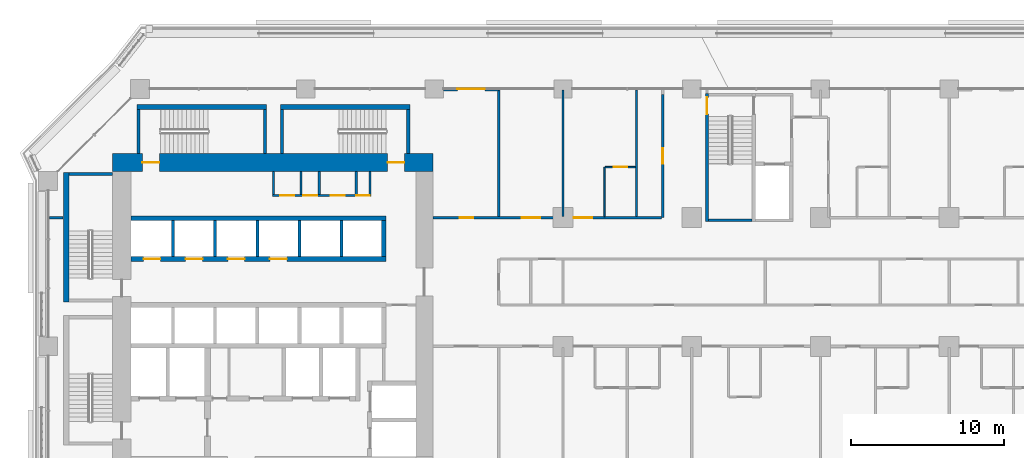
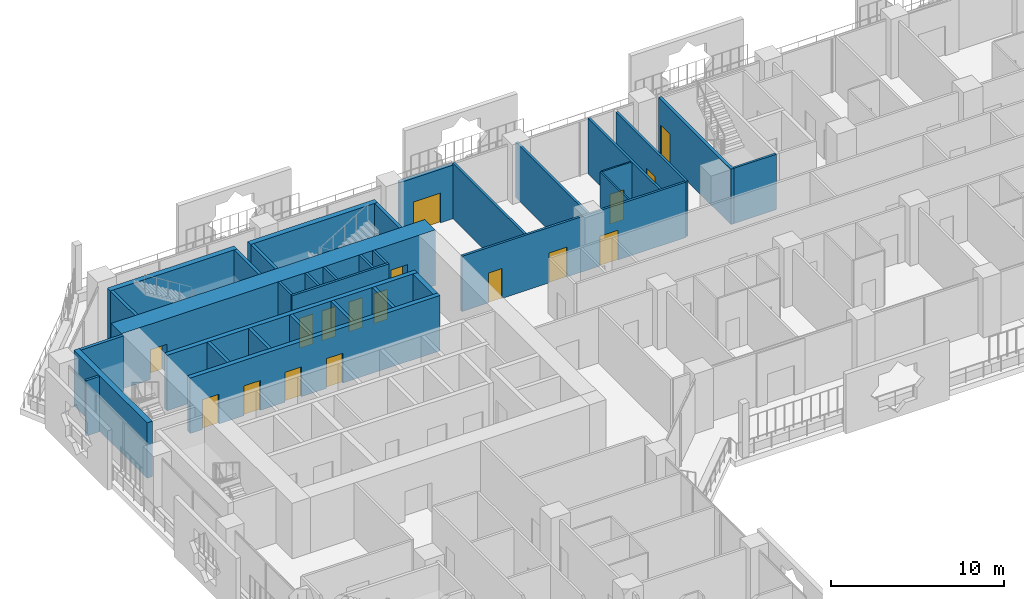
# One storey, part 18 of 29: 34 walls, 17 doors, 17 openings.
"""IFC4 building model written with IfcOpenShell, lengths in metres."""

from ifc_helpers import new_model, si_unit, direction, frame, frame_2d, origin, place, context, subcontext, project, spatial, rectangle, extrude, material, layer, layer_set, type_object, element, fill, save


model = new_model("IFC4")

# Units and contexts
model_context = context("Model", 3, precision=1e-05, world=origin(), true_north=direction((0.0, 1.0)))
body_context = subcontext(model_context, "Body", "Model", "MODEL_VIEW")
ifc_project = project(units=[si_unit("LENGTHUNIT", "METRE"), si_unit("AREAUNIT", "SQUARE_METRE"), si_unit("VOLUMEUNIT", "CUBIC_METRE"), si_unit("PLANEANGLEUNIT", "RADIAN"), si_unit("MASSUNIT", "GRAM", prefix="KILO")], contexts=[model_context])

# Site, building, storey
site_placement = place(None, origin())
site = spatial("IfcSite", under=ifc_project, at=site_placement, CompositionType="ELEMENT")
building_placement = place(site_placement, origin())
building = spatial("IfcBuilding", under=site, at=building_placement, Name="Kawkab Arch Medical Tower", CompositionType="ELEMENT")
storey_placement = place(building_placement, frame((0.0, 0.0, 64.39990234375)))
storey = spatial("IfcBuildingStorey", under=building, at=storey_placement, Name="L14", CompositionType="ELEMENT", Elevation=64.39990234375)

# Wall, openings, doors
ifc_material_1 = material(Name="Concrete C60/75", Category="concrete")
ifc_layer_1 = layer(ifc_material_1, 1.199951171875)
ifc_layer_set_1 = layer_set([ifc_layer_1], Name="Concrete C60/75")
wall_type_1 = type_object("IfcWallType", Name="Core ring wall 1200 C60/75", PredefinedType="SHEAR", material=ifc_layer_set_1)
wall_1_placement = place(storey_placement, frame((4.199951171875, -4.800048828125, 0.0), z_axis=(0.0, 0.0, 1.0), x_axis=(1.0, 0.0, 0.0)))
wall_1 = element("IfcWall", 1, at=wall_1_placement, inside=storey, type_object=wall_type_1, Name="L14 core wall", PredefinedType="SHEAR", context=body_context, shape_type="SweptSolid", body=[
    extrude(rectangle(XDim=20.900146484375, YDim=1.199951171875, at=frame_2d((10.4501953125, 0.0))), origin(), (0.0, 0.0, 1.0), 3.900146484375),
])
opening_1_placement = place(wall_1_placement, frame((1.949951171875, 0.0, 0.0)))
opening_1 = element("IfcOpeningElement", 2, at=opening_1_placement, cuts=wall_1, Name="Opening SD", PredefinedType="OPENING", context=body_context, shape_type="SweptSolid", body=[
    extrude(rectangle(XDim=1.10009765625, YDim=2.10009765625, at=frame_2d((0.550048828125, 1.050048828125))), frame((0.0, 0.60986328125, 0.0), z_axis=(0.0, -1.0, 0.0), x_axis=(1.0, 0.0, 0.0)), (0.0, 0.0, 1.0), 1.219970703125),
])
opening_2_placement = place(wall_1_placement, frame((17.949951171875, 0.0, 0.0)))
opening_2 = element("IfcOpeningElement", 3, at=opening_2_placement, cuts=wall_1, Name="Opening SD", PredefinedType="OPENING", context=body_context, shape_type="SweptSolid", body=[
    extrude(rectangle(XDim=1.10009765625, YDim=2.10009765625, at=frame_2d((0.550048828125, 1.050048828125))), frame((0.0, 0.60986328125, 0.0), z_axis=(0.0, -1.0, 0.0), x_axis=(1.0, 0.0, 0.0)), (0.0, 0.0, 1.0), 1.219970703125),
])
ifc_material_2 = material(Name="Hollow metal fire door leaf")
door_type_1 = type_object("IfcDoorType", Name="Exit stair door 1100", OperationType="SINGLE_SWING_LEFT", PredefinedType="DOOR", material=ifc_material_2)
door_1_placement = place(opening_1_placement, origin())
door_1 = element("IfcDoor", 4, at=door_1_placement, inside=storey, type_object=door_type_1, Name="L14 Exit stair ST3 door", OperationType="SINGLE_SWING_LEFT", OverallHeight=2.10009765625, OverallWidth=1.10009765625, PredefinedType="DOOR", context=body_context, shape_type="SweptSolid", body=[
    extrude(rectangle(XDim=1.10009765625, YDim=2.10009765625, at=frame_2d((0.550048828125, 1.050048828125))), frame((0.0, 0.02490234375, 0.0), z_axis=(0.0, -1.0, 0.0), x_axis=(1.0, 0.0, 0.0)), (0.0, 0.0, 1.0), 0.050048828125),
])
fill(opening_1, door_1)
door_2_placement = place(opening_2_placement, origin())
door_2 = element("IfcDoor", 5, at=door_2_placement, inside=storey, type_object=door_type_1, Name="L14 Exit stair ST4 door", OperationType="SINGLE_SWING_LEFT", OverallHeight=2.10009765625, OverallWidth=1.10009765625, PredefinedType="DOOR", context=body_context, shape_type="SweptSolid", body=[
    extrude(rectangle(XDim=1.10009765625, YDim=2.10009765625, at=frame_2d((0.550048828125, 1.050048828125))), frame((0.0, 0.02490234375, 0.0), z_axis=(0.0, -1.0, 0.0), x_axis=(1.0, 0.0, 0.0)), (0.0, 0.0, 1.0), 0.050048828125),
])
fill(opening_2, door_2)

ifc_material_3 = material(Name="Gypsum board on steel studs", Category="steel")
ifc_layer_2 = layer(ifc_material_3, 0.14990234375)
ifc_layer_set_2 = layer_set([ifc_layer_2], Name="Gypsum board on steel studs")
wall_type_2 = type_object("IfcWallType", Name="Core room partition 150", PredefinedType="PARTITIONING", material=ifc_layer_set_2)
wall_2_placement = place(storey_placement, frame((14.625, -6.949951171875, 0.0), z_axis=(0.0, 0.0, 1.0), x_axis=(1.0, 0.0, 0.0)))
wall_2 = element("IfcWall", 6, at=wall_2_placement, inside=storey, type_object=wall_type_2, Name="L14 core room partition", PredefinedType="PARTITIONING", context=body_context, shape_type="SweptSolid", body=[
    extrude(rectangle(XDim=6.449951171875, YDim=0.14990234375, at=frame_2d((3.22509765625, 0.0))), origin(), (0.0, 0.0, 1.0), 3.900146484375),
])
opening_3_placement = place(wall_2_placement, frame((0.52490234375, 0.0, 0.0)))
opening_3 = element("IfcOpeningElement", 7, at=opening_3_placement, cuts=wall_2, Name="Opening RD", PredefinedType="OPENING", context=body_context, shape_type="SweptSolid", body=[
    extrude(rectangle(XDim=0.89990234375, YDim=2.10009765625, at=frame_2d((0.449951171875, 1.050048828125))), frame((0.0, 0.0849609375, 0.0), z_axis=(0.0, -1.0, 0.0), x_axis=(1.0, 0.0, 0.0)), (0.0, 0.0, 1.0), 0.169921875),
])
opening_4_placement = place(wall_2_placement, frame((2.02490234375, 0.0, 0.0)))
opening_4 = element("IfcOpeningElement", 8, at=opening_4_placement, cuts=wall_2, Name="Opening RD", PredefinedType="OPENING", context=body_context, shape_type="SweptSolid", body=[
    extrude(rectangle(XDim=0.89990234375, YDim=2.10009765625, at=frame_2d((0.449951171875, 1.050048828125))), frame((0.0, 0.0849609375, 0.0), z_axis=(0.0, -1.0, 0.0), x_axis=(1.0, 0.0, 0.0)), (0.0, 0.0, 1.0), 0.169921875),
])
opening_5_placement = place(wall_2_placement, frame((3.824951171875, 0.0, 0.0)))
opening_5 = element("IfcOpeningElement", 9, at=opening_5_placement, cuts=wall_2, Name="Opening RD", PredefinedType="OPENING", context=body_context, shape_type="SweptSolid", body=[
    extrude(rectangle(XDim=0.89990234375, YDim=2.10009765625, at=frame_2d((0.449951171875, 1.050048828125))), frame((0.0, 0.0849609375, 0.0), z_axis=(0.0, -1.0, 0.0), x_axis=(1.0, 0.0, 0.0)), (0.0, 0.0, 1.0), 0.169921875),
])
opening_6_placement = place(wall_2_placement, frame((5.47509765625, 0.0, 0.0)))
opening_6 = element("IfcOpeningElement", 10, at=opening_6_placement, cuts=wall_2, Name="Opening RD", PredefinedType="OPENING", context=body_context, shape_type="SweptSolid", body=[
    extrude(rectangle(XDim=0.89990234375, YDim=2.10009765625, at=frame_2d((0.449951171875, 1.050048828125))), frame((0.0, 0.0849609375, 0.0), z_axis=(0.0, -1.0, 0.0), x_axis=(1.0, 0.0, 0.0)), (0.0, 0.0, 1.0), 0.169921875),
])
ifc_material_4 = material(Name="Hollow metal fire door leaf")
door_type_2 = type_object("IfcDoorType", Name="Core room door 900", OperationType="SINGLE_SWING_LEFT", PredefinedType="DOOR", material=ifc_material_4)
door_3_placement = place(opening_3_placement, origin())
door_3 = element("IfcDoor", 11, at=door_3_placement, inside=storey, type_object=door_type_2, Name="L14 Comms room door", OperationType="SINGLE_SWING_LEFT", OverallHeight=2.10009765625, OverallWidth=0.89990234375, PredefinedType="DOOR", context=body_context, shape_type="SweptSolid", body=[
    extrude(rectangle(XDim=0.89990234375, YDim=2.10009765625, at=frame_2d((0.449951171875, 1.050048828125))), frame((0.0, 0.02490234375, 0.0), z_axis=(0.0, -1.0, 0.0), x_axis=(1.0, 0.0, 0.0)), (0.0, 0.0, 1.0), 0.050048828125),
])
fill(opening_3, door_3)
door_4_placement = place(opening_4_placement, origin())
door_4 = element("IfcDoor", 12, at=door_4_placement, inside=storey, type_object=door_type_2, Name="L14 Electrical riser room door", OperationType="SINGLE_SWING_LEFT", OverallHeight=2.10009765625, OverallWidth=0.89990234375, PredefinedType="DOOR", context=body_context, shape_type="SweptSolid", body=[
    extrude(rectangle(XDim=0.89990234375, YDim=2.10009765625, at=frame_2d((0.449951171875, 1.050048828125))), frame((0.0, 0.02490234375, 0.0), z_axis=(0.0, -1.0, 0.0), x_axis=(1.0, 0.0, 0.0)), (0.0, 0.0, 1.0), 0.050048828125),
])
fill(opening_4, door_4)
door_5_placement = place(opening_5_placement, origin())
door_5 = element("IfcDoor", 13, at=door_5_placement, inside=storey, type_object=door_type_2, Name="L14 General store door", OperationType="SINGLE_SWING_LEFT", OverallHeight=2.10009765625, OverallWidth=0.89990234375, PredefinedType="DOOR", context=body_context, shape_type="SweptSolid", body=[
    extrude(rectangle(XDim=0.89990234375, YDim=2.10009765625, at=frame_2d((0.449951171875, 1.050048828125))), frame((0.0, 0.02490234375, 0.0), z_axis=(0.0, -1.0, 0.0), x_axis=(1.0, 0.0, 0.0)), (0.0, 0.0, 1.0), 0.050048828125),
])
fill(opening_5, door_5)
door_6_placement = place(opening_6_placement, origin())
door_6 = element("IfcDoor", 14, at=door_6_placement, inside=storey, type_object=door_type_2, Name="L14 UPS room door", OperationType="SINGLE_SWING_LEFT", OverallHeight=2.10009765625, OverallWidth=0.89990234375, PredefinedType="DOOR", context=body_context, shape_type="SweptSolid", body=[
    extrude(rectangle(XDim=0.89990234375, YDim=2.10009765625, at=frame_2d((0.449951171875, 1.050048828125))), frame((0.0, 0.02490234375, 0.0), z_axis=(0.0, -1.0, 0.0), x_axis=(1.0, 0.0, 0.0)), (0.0, 0.0, 1.0), 0.050048828125),
])
fill(opening_6, door_6)

# Walls
for number, where, z_axis, x_axis, name in (
    (15, (14.699951171875, -6.875, 0.0), (0.0, 0.0, 1.0), (0.0, 1.0, 0.0), "L14 core room partition"),
    (16, (16.5, -6.875, 0.0), (0.0, 0.0, 1.0), (0.0, 1.0, 0.0), "L14 core room partition"),
    (17, (17.699951171875, -6.875, 0.0), (0.0, 0.0, 1.0), (0.0, 1.0, 0.0), "L14 core room partition"),
    (18, (20.10009765625, -6.875, 0.0), (0.0, 0.0, 1.0), (0.0, 1.0, 0.0), "L14 core room partition"),
    (19, (21.0, -6.875, 0.0), (0.0, 0.0, 1.0), (0.0, 1.0, 0.0), "L14 core room partition"),
):
    element("IfcWall", number, at=place(storey_placement, frame(where, z_axis=z_axis, x_axis=x_axis)), inside=storey, type_object=wall_type_2, Name=name, PredefinedType="PARTITIONING", context=body_context, shape_type="SweptSolid", body=[
        extrude(rectangle(XDim=1.47509765625, YDim=0.14990234375, at=frame_2d((0.737548828125, 0.0))), origin(), (0.0, 0.0, 1.0), 3.900146484375),
    ])
ifc_material_5 = material(Name="Concrete C60/75", Category="concrete")
ifc_layer_3 = layer(ifc_material_5, 0.300048828125)
ifc_layer_set_3 = layer_set([ifc_layer_3], Name="Concrete C60/75")
wall_type_3 = type_object("IfcWallType", Name="Core shear wall 300 C60/75", PredefinedType="SHEAR", material=ifc_layer_set_3)
wall_3_placement = place(storey_placement, frame((5.39990234375, -8.449951171875, 0.0), z_axis=(0.0, 0.0, 1.0), x_axis=(1.0, 0.0, 0.0)))
element("IfcWall", 20, at=wall_3_placement, inside=storey, type_object=wall_type_3, Name="L14 core shear wall", PredefinedType="SHEAR", context=body_context, shape_type="SweptSolid", body=[
    extrude(rectangle(XDim=16.650146484375, YDim=0.300048828125, at=frame_2d((8.3251953125, 0.0))), origin(), (0.0, 0.0, 1.0), 3.900146484375),
])

# Wall, openings, doors
wall_4_placement = place(storey_placement, frame((5.39990234375, -11.10009765625, 0.0), z_axis=(0.0, 0.0, 1.0), x_axis=(1.0, 0.0, 0.0)))
wall_4 = element("IfcWall", 21, at=wall_4_placement, inside=storey, type_object=wall_type_3, Name="L14 core shear wall", PredefinedType="SHEAR", context=body_context, shape_type="SweptSolid", body=[
    extrude(rectangle(XDim=16.650146484375, YDim=0.300048828125, at=frame_2d((8.3251953125, 0.0))), origin(), (0.0, 0.0, 1.0), 3.900146484375),
])
opening_7_placement = place(wall_4_placement, frame((0.824951171875, 0.0, 0.0)))
opening_7 = element("IfcOpeningElement", 22, at=opening_7_placement, cuts=wall_4, Name="Opening LD1", PredefinedType="OPENING", context=body_context, shape_type="SweptSolid", body=[
    extrude(rectangle(XDim=1.10009765625, YDim=2.10009765625, at=frame_2d((0.550048828125, 1.050048828125))), frame((0.0, 0.159912109375, 0.0), z_axis=(0.0, -1.0, 0.0), x_axis=(1.0, 0.0, 0.0)), (0.0, 0.0, 1.0), 0.320068359375),
])
opening_8_placement = place(wall_4_placement, frame((3.574951171875, 0.0, 0.0)))
opening_8 = element("IfcOpeningElement", 23, at=opening_8_placement, cuts=wall_4, Name="Opening LD1", PredefinedType="OPENING", context=body_context, shape_type="SweptSolid", body=[
    extrude(rectangle(XDim=1.10009765625, YDim=2.10009765625, at=frame_2d((0.550048828125, 1.050048828125))), frame((0.0, 0.159912109375, 0.0), z_axis=(0.0, -1.0, 0.0), x_axis=(1.0, 0.0, 0.0)), (0.0, 0.0, 1.0), 0.320068359375),
])
opening_9_placement = place(wall_4_placement, frame((6.324951171875, 0.0, 0.0)))
opening_9 = element("IfcOpeningElement", 24, at=opening_9_placement, cuts=wall_4, Name="Opening LD1", PredefinedType="OPENING", context=body_context, shape_type="SweptSolid", body=[
    extrude(rectangle(XDim=1.10009765625, YDim=2.10009765625, at=frame_2d((0.550048828125, 1.050048828125))), frame((0.0, 0.159912109375, 0.0), z_axis=(0.0, -1.0, 0.0), x_axis=(1.0, 0.0, 0.0)), (0.0, 0.0, 1.0), 0.320068359375),
])
opening_10_placement = place(wall_4_placement, frame((9.074951171875, 0.0, 0.0)))
opening_10 = element("IfcOpeningElement", 25, at=opening_10_placement, cuts=wall_4, Name="Opening LD1", PredefinedType="OPENING", context=body_context, shape_type="SweptSolid", body=[
    extrude(rectangle(XDim=1.10009765625, YDim=2.10009765625, at=frame_2d((0.550048828125, 1.050048828125))), frame((0.0, 0.159912109375, 0.0), z_axis=(0.0, -1.0, 0.0), x_axis=(1.0, 0.0, 0.0)), (0.0, 0.0, 1.0), 0.320068359375),
])
ifc_material_6 = material(Name="Stainless steel lift door leaf", Category="steel")
door_type_3 = type_object("IfcDoorType", Name="Lift landing door 1100", OperationType="DOUBLE_DOOR_SLIDING", PredefinedType="DOOR", material=ifc_material_6)
door_7_placement = place(opening_7_placement, origin())
door_7 = element("IfcDoor", 26, at=door_7_placement, inside=storey, type_object=door_type_3, Name="L14 Lift landing door LP1", OperationType="DOUBLE_DOOR_SLIDING", OverallHeight=2.10009765625, OverallWidth=1.10009765625, PredefinedType="DOOR", context=body_context, shape_type="SweptSolid", body=[
    extrude(rectangle(XDim=1.10009765625, YDim=2.10009765625, at=frame_2d((0.550048828125, 1.050048828125))), frame((0.0, 0.02490234375, 0.0), z_axis=(0.0, -1.0, 0.0), x_axis=(1.0, 0.0, 0.0)), (0.0, 0.0, 1.0), 0.050048828125),
])
fill(opening_7, door_7)
door_8_placement = place(opening_8_placement, origin())
door_8 = element("IfcDoor", 27, at=door_8_placement, inside=storey, type_object=door_type_3, Name="L14 Lift landing door LP2", OperationType="DOUBLE_DOOR_SLIDING", OverallHeight=2.10009765625, OverallWidth=1.10009765625, PredefinedType="DOOR", context=body_context, shape_type="SweptSolid", body=[
    extrude(rectangle(XDim=1.10009765625, YDim=2.10009765625, at=frame_2d((0.550048828125, 1.050048828125))), frame((0.0, 0.02490234375, 0.0), z_axis=(0.0, -1.0, 0.0), x_axis=(1.0, 0.0, 0.0)), (0.0, 0.0, 1.0), 0.050048828125),
])
fill(opening_8, door_8)
door_9_placement = place(opening_9_placement, origin())
door_9 = element("IfcDoor", 28, at=door_9_placement, inside=storey, type_object=door_type_3, Name="L14 Lift landing door LP3", OperationType="DOUBLE_DOOR_SLIDING", OverallHeight=2.10009765625, OverallWidth=1.10009765625, PredefinedType="DOOR", context=body_context, shape_type="SweptSolid", body=[
    extrude(rectangle(XDim=1.10009765625, YDim=2.10009765625, at=frame_2d((0.550048828125, 1.050048828125))), frame((0.0, 0.02490234375, 0.0), z_axis=(0.0, -1.0, 0.0), x_axis=(1.0, 0.0, 0.0)), (0.0, 0.0, 1.0), 0.050048828125),
])
fill(opening_9, door_9)
door_10_placement = place(opening_10_placement, origin())
door_10 = element("IfcDoor", 29, at=door_10_placement, inside=storey, type_object=door_type_3, Name="L14 Lift landing door LP4", OperationType="DOUBLE_DOOR_SLIDING", OverallHeight=2.10009765625, OverallWidth=1.10009765625, PredefinedType="DOOR", context=body_context, shape_type="SweptSolid", body=[
    extrude(rectangle(XDim=1.10009765625, YDim=2.10009765625, at=frame_2d((0.550048828125, 1.050048828125))), frame((0.0, 0.02490234375, 0.0), z_axis=(0.0, -1.0, 0.0), x_axis=(1.0, 0.0, 0.0)), (0.0, 0.0, 1.0), 0.050048828125),
])
fill(opening_10, door_10)

# Wall
wall_5_placement = place(storey_placement, frame((21.89990234375, -10.949951171875, 0.0), z_axis=(0.0, 0.0, 1.0), x_axis=(0.0, 1.0, 0.0)))
element("IfcWall", 30, at=wall_5_placement, inside=storey, type_object=wall_type_3, Name="L14 core shear wall", PredefinedType="SHEAR", context=body_context, shape_type="SweptSolid", body=[
    extrude(rectangle(XDim=2.349853515625, YDim=0.300048828125, at=frame_2d((1.1748046875, 0.0))), origin(), (0.0, 0.0, 1.0), 3.900146484375),
])

# Wall, opening, door
ifc_material_7 = material(Name="Bronze clad insulated wall panel")
ifc_layer_4 = layer(ifc_material_7, 0.25)
ifc_layer_set_4 = layer_set([ifc_layer_4], Name="Bronze clad insulated wall panel")
wall_type_4 = type_object("IfcWallType", Name="External wall bay 250", PredefinedType="SOLIDWALL", material=ifc_layer_set_4)
wall_6_placement = place(storey_placement, frame((29.39990234375, 0.0, 0.0), z_axis=(0.0, 0.0, 1.0), x_axis=(-1.0, 0.0, 0.0)))
wall_6 = element("IfcWall", 31, at=wall_6_placement, inside=storey, type_object=wall_type_4, Name="External wall bay L14.R11.6.2", PredefinedType="SOLIDWALL", context=body_context, shape_type="SweptSolid", body=[
    extrude(rectangle(XDim=3.599853515625, YDim=0.25, at=frame_2d((1.7998046875, 0.0))), origin(), (0.0, 0.0, 1.0), 3.780029296875),
])
opening_11_placement = place(wall_6_placement, frame((0.89990234375, 0.0, 0.0)))
opening_11 = element("IfcOpeningElement", 32, at=opening_11_placement, cuts=wall_6, Name="Opening W14-702", PredefinedType="OPENING", context=body_context, shape_type="SweptSolid", body=[
    extrude(rectangle(XDim=1.800048828125, YDim=2.10009765625, at=frame_2d((0.89990234375, 1.050048828125))), frame((0.0, 0.135009765625, 0.0), z_axis=(0.0, -1.0, 0.0), x_axis=(1.0, 0.0, 0.0)), (0.0, 0.0, 1.0), 0.27001953125),
])
ifc_material_8 = material(Name="Bronze anodised aluminium door with tinted glass", Category="aluminium")
door_type_4 = type_object("IfcDoorType", Name="Double external door 1800 x 2100", OperationType="DOUBLE_DOOR_SINGLE_SWING", PredefinedType="DOOR", material=ifc_material_8)
door_11_placement = place(opening_11_placement, origin())
door_11 = element("IfcDoor", 33, at=door_11_placement, inside=storey, type_object=door_type_4, Name="External door L14.R11.6.2", OperationType="DOUBLE_DOOR_SINGLE_SWING", OverallHeight=2.10009765625, OverallWidth=1.800048828125, PredefinedType="DOOR", context=body_context, shape_type="SweptSolid", body=[
    extrude(rectangle(XDim=1.800048828125, YDim=2.10009765625, at=frame_2d((0.89990234375, 1.050048828125))), frame((0.0, 0.02490234375, 0.0), z_axis=(0.0, -1.0, 0.0), x_axis=(1.0, 0.0, 0.0)), (0.0, 0.0, 1.0), 0.050048828125),
])
fill(opening_11, door_11)

# Walls
ifc_material_9 = material(Name="Dense concrete blockwork", Category="masonry")
ifc_layer_5 = layer(ifc_material_9, 0.199951171875)
ifc_layer_set_5 = layer_set([ifc_layer_5], Name="Dense concrete blockwork")
wall_type_5 = type_object("IfcWallType", Name="Lift shaft partition 200", PredefinedType="PARTITIONING", material=ifc_layer_set_5)
for number, where, z_axis, x_axis, name in (
    (34, (8.14990234375, -10.949951171875, 0.0), (0.0, 0.0, 1.0), (0.0, 1.0, 0.0), "L14 lift shaft partition"),
    (35, (10.89990234375, -10.949951171875, 0.0), (0.0, 0.0, 1.0), (0.0, 1.0, 0.0), "L14 lift shaft partition"),
    (36, (13.64990234375, -10.949951171875, 0.0), (0.0, 0.0, 1.0), (0.0, 1.0, 0.0), "L14 lift shaft partition"),
    (37, (16.39990234375, -10.949951171875, 0.0), (0.0, 0.0, 1.0), (0.0, 1.0, 0.0), "L14 lift shaft partition"),
    (38, (19.14990234375, -10.949951171875, 0.0), (0.0, 0.0, 1.0), (0.0, 1.0, 0.0), "L14 lift shaft partition"),
):
    element("IfcWall", number, at=place(storey_placement, frame(where, z_axis=z_axis, x_axis=x_axis)), inside=storey, type_object=wall_type_5, Name=name, PredefinedType="PARTITIONING", context=body_context, shape_type="SweptSolid", body=[
        extrude(rectangle(XDim=2.349853515625, YDim=0.199951171875, at=frame_2d((1.1748046875, 0.0))), origin(), (0.0, 0.0, 1.0), 3.900146484375),
    ])

# Wall, opening, door
ifc_material_10 = material(Name="Gypsum board partition on steel studs", Category="steel")
ifc_layer_6 = layer(ifc_material_10, 0.10009765625)
ifc_layer_set_6 = layer_set([ifc_layer_6], Name="Gypsum board partition on steel studs")
wall_type_6 = type_object("IfcWallType", Name="Partition 100", PredefinedType="PARTITIONING", material=ifc_layer_set_6)
wall_7_placement = place(storey_placement, frame((36.35009765625, -5.10009765625, 0.0), z_axis=(0.0, 0.0, 1.0), x_axis=(1.0, 0.0, 0.0)))
wall_7 = element("IfcWall", 39, at=wall_7_placement, inside=storey, type_object=wall_type_6, Name="Partition 100 w016", PredefinedType="PARTITIONING", context=body_context, shape_type="SweptSolid", body=[
    extrude(rectangle(XDim=1.974853515625, YDim=0.10009765625, at=frame_2d((0.9873046875, 0.0))), origin(), (0.0, 0.0, 1.0), 3.900146484375),
])
opening_12_placement = place(wall_7_placement, frame((0.550048828125, 0.0, 0.0)))
opening_12 = element("IfcOpeningElement", 40, at=opening_12_placement, cuts=wall_7, Name="Opening W14-006", PredefinedType="OPENING", context=body_context, shape_type="SweptSolid", body=[
    extrude(rectangle(XDim=0.89990234375, YDim=2.10009765625, at=frame_2d((0.449951171875, 1.050048828125))), frame((0.0, 0.06005859375, 0.0), z_axis=(0.0, -1.0, 0.0), x_axis=(1.0, 0.0, 0.0)), (0.0, 0.0, 1.0), 0.1201171875),
])
ifc_material_11 = material(Name="Timber door leaf", Category="wood")
door_type_5 = type_object("IfcDoorType", Name="Single door 900x2100", OperationType="NOTDEFINED", PredefinedType="DOOR", material=ifc_material_11)
door_12_placement = place(opening_12_placement, origin())
door_12 = element("IfcDoor", 41, at=door_12_placement, inside=storey, type_object=door_type_5, Name="Door W14-006", OperationType="SINGLE_SWING_RIGHT", OverallHeight=2.10009765625, OverallWidth=0.89990234375, PredefinedType="DOOR", context=body_context, shape_type="SweptSolid", body=[
    extrude(rectangle(XDim=0.89990234375, YDim=2.10009765625, at=frame_2d((0.449951171875, 1.050048828125))), frame((0.0, 0.02490234375, 0.0), z_axis=(0.0, -1.0, 0.0), x_axis=(1.0, 0.0, 0.0)), (0.0, 0.0, 1.0), 0.050048828125),
])
fill(opening_12, door_12)

# Walls
wall_8_placement = place(storey_placement, frame((36.300048828125, -8.324951171875, 0.0), z_axis=(0.0, 0.0, 1.0), x_axis=(0.0, 1.0, 0.0)))
element("IfcWall", 42, at=wall_8_placement, inside=storey, type_object=wall_type_6, Name="Partition 100 w028", PredefinedType="PARTITIONING", context=body_context, shape_type="SweptSolid", body=[
    extrude(rectangle(XDim=3.224853515625, YDim=0.10009765625, at=frame_2d((1.6123046875, 0.0))), origin(), (0.0, 0.0, 1.0), 3.900146484375),
])
ifc_material_12 = material(Name="Gypsum board partition on steel studs, mineral wool", Category="steel")
ifc_layer_7 = layer(ifc_material_12, 0.14990234375)
ifc_layer_set_7 = layer_set([ifc_layer_7], Name="Gypsum board partition on steel studs, mineral wool")
wall_type_7 = type_object("IfcWallType", Name="Partition 150", PredefinedType="PARTITIONING", material=ifc_layer_set_7)
wall_9_placement = place(storey_placement, frame((0.080078125, -8.39990234375, 0.0), z_axis=(0.0, 0.0, 1.0), x_axis=(1.0, 0.0, 0.0)))
element("IfcWall", 43, at=wall_9_placement, inside=storey, type_object=wall_type_7, Name="Partition 150 w066", PredefinedType="PARTITIONING", context=body_context, shape_type="SweptSolid", body=[
    extrude(rectangle(XDim=0.889892578125, YDim=0.14990234375, at=frame_2d((0.44482421875, 0.0))), origin(), (0.0, 0.0, 1.0), 3.900146484375),
])

# Wall, openings, doors
wall_10_placement = place(storey_placement, frame((25.10009765625, -8.39990234375, 0.0), z_axis=(0.0, 0.0, 1.0), x_axis=(1.0, 0.0, 0.0)))
wall_10 = element("IfcWall", 44, at=wall_10_placement, inside=storey, type_object=wall_type_7, Name="Partition 150 w067", PredefinedType="PARTITIONING", context=body_context, shape_type="SweptSolid", body=[
    extrude(rectangle(XDim=14.931884765625, YDim=0.14990234375, at=frame_2d((7.4658203125, 0.0))), origin(), (0.0, 0.0, 1.0), 3.900146484375),
])
opening_13_placement = place(wall_10_placement, frame((1.75, 0.0, 0.0)))
opening_13 = element("IfcOpeningElement", 45, at=opening_13_placement, cuts=wall_10, Name="Opening W14-005", PredefinedType="OPENING", context=body_context, shape_type="SweptSolid", body=[
    extrude(rectangle(XDim=0.89990234375, YDim=2.10009765625, at=frame_2d((0.449951171875, 1.050048828125))), frame((0.0, 0.0849609375, 0.0), z_axis=(0.0, -1.0, 0.0), x_axis=(1.0, 0.0, 0.0)), (0.0, 0.0, 1.0), 0.169921875),
])
opening_14_placement = place(wall_10_placement, frame((5.800048828125, 0.0, 0.0)))
opening_14 = element("IfcOpeningElement", 46, at=opening_14_placement, cuts=wall_10, Name="Opening W14-049", PredefinedType="OPENING", context=body_context, shape_type="SweptSolid", body=[
    extrude(rectangle(XDim=1.199951171875, YDim=2.10009765625, at=frame_2d((0.60009765625, 1.050048828125))), frame((0.0, 0.0849609375, 0.0), z_axis=(0.0, -1.0, 0.0), x_axis=(1.0, 0.0, 0.0)), (0.0, 0.0, 1.0), 0.169921875),
])
opening_15_placement = place(wall_10_placement, frame((9.199951171875, 0.0, 0.0)))
opening_15 = element("IfcOpeningElement", 47, at=opening_15_placement, cuts=wall_10, Name="Opening W14-050", PredefinedType="OPENING", context=body_context, shape_type="SweptSolid", body=[
    extrude(rectangle(XDim=1.199951171875, YDim=2.10009765625, at=frame_2d((0.60009765625, 1.050048828125))), frame((0.0, 0.0849609375, 0.0), z_axis=(0.0, -1.0, 0.0), x_axis=(1.0, 0.0, 0.0)), (0.0, 0.0, 1.0), 0.169921875),
])
ifc_material_13 = material(Name="Hollow metal door leaf")
door_type_6 = type_object("IfcDoorType", Name="Single door 1200x2100 FD30S", OperationType="NOTDEFINED", PredefinedType="DOOR", material=ifc_material_13)
door_13_placement = place(opening_14_placement, origin())
door_13 = element("IfcDoor", 48, at=door_13_placement, inside=storey, type_object=door_type_6, Name="Door W14-049", OperationType="SINGLE_SWING_LEFT", OverallHeight=2.10009765625, OverallWidth=1.199951171875, PredefinedType="DOOR", context=body_context, shape_type="SweptSolid", body=[
    extrude(rectangle(XDim=1.199951171875, YDim=2.10009765625, at=frame_2d((0.60009765625, 1.050048828125))), frame((0.0, 0.02490234375, 0.0), z_axis=(0.0, -1.0, 0.0), x_axis=(1.0, 0.0, 0.0)), (0.0, 0.0, 1.0), 0.050048828125),
])
fill(opening_14, door_13)
door_14_placement = place(opening_15_placement, origin())
door_14 = element("IfcDoor", 49, at=door_14_placement, inside=storey, type_object=door_type_6, Name="Door W14-050", OperationType="SINGLE_SWING_RIGHT", OverallHeight=2.10009765625, OverallWidth=1.199951171875, PredefinedType="DOOR", context=body_context, shape_type="SweptSolid", body=[
    extrude(rectangle(XDim=1.199951171875, YDim=2.10009765625, at=frame_2d((0.60009765625, 1.050048828125))), frame((0.0, 0.02490234375, 0.0), z_axis=(0.0, -1.0, 0.0), x_axis=(1.0, 0.0, 0.0)), (0.0, 0.0, 1.0), 0.050048828125),
])
fill(opening_15, door_14)
door_15_placement = place(opening_13_placement, origin())
door_15 = element("IfcDoor", 50, at=door_15_placement, inside=storey, type_object=door_type_5, Name="Door W14-005", OperationType="SINGLE_SWING_LEFT", OverallHeight=2.10009765625, OverallWidth=0.89990234375, PredefinedType="DOOR", context=body_context, shape_type="SweptSolid", body=[
    extrude(rectangle(XDim=0.89990234375, YDim=2.10009765625, at=frame_2d((0.449951171875, 1.050048828125))), frame((0.0, 0.02490234375, 0.0), z_axis=(0.0, -1.0, 0.0), x_axis=(1.0, 0.0, 0.0)), (0.0, 0.0, 1.0), 0.050048828125),
])
fill(opening_13, door_15)

# Walls
for number, where, z_axis, x_axis, name in (
    (51, (29.39990234375, -8.324951171875, 0.0), (0.0, 0.0, 1.0), (0.0, 1.0, 0.0), "Partition 150 w081"),
    (52, (33.60009765625, -8.324951171875, 0.0), (0.0, 0.0, 1.0), (0.0, 1.0, 0.0), "Partition 150 w085"),
    (53, (38.39990234375, -8.324951171875, 0.0), (0.0, 0.0, 1.0), (0.0, 1.0, 0.0), "Partition 150 w087"),
):
    element("IfcWall", number, at=place(storey_placement, frame(where, z_axis=z_axis, x_axis=x_axis)), inside=storey, type_object=wall_type_7, Name=name, PredefinedType="PARTITIONING", context=body_context, shape_type="SweptSolid", body=[
        extrude(rectangle(XDim=8.244873046875, YDim=0.14990234375, at=frame_2d((4.12255859375, 0.0))), origin(), (0.0, 0.0, 1.0), 3.900146484375),
    ])

# Wall, opening, door
wall_11_placement = place(storey_placement, frame((40.10693359375, -8.39990234375, 0.0), z_axis=(0.0, 0.0, 1.0), x_axis=(0.0, 1.0, 0.0)))
wall_11 = element("IfcWall", 54, at=wall_11_placement, inside=storey, type_object=wall_type_7, Name="Partition 150 w088", PredefinedType="PARTITIONING", context=body_context, shape_type="SweptSolid", body=[
    extrude(rectangle(XDim=8.0478515625, YDim=0.14990234375, at=frame_2d((4.02392578125, 0.0))), origin(), (0.0, 0.0, 1.0), 3.900146484375),
])
opening_16_placement = place(wall_11_placement, frame((3.52392578125, 0.0, 0.0)))
opening_16 = element("IfcOpeningElement", 55, at=opening_16_placement, cuts=wall_11, Name="Opening W14-031", PredefinedType="OPENING", context=body_context, shape_type="SweptSolid", body=[
    extrude(rectangle(XDim=1.0, YDim=2.10009765625, at=frame_2d((0.5, 1.050048828125))), frame((0.0, 0.0849609375, 0.0), z_axis=(0.0, -1.0, 0.0), x_axis=(1.0, 0.0, 0.0)), (0.0, 0.0, 1.0), 0.169921875),
])
ifc_material_14 = material(Name="Hollow metal door leaf")
door_type_7 = type_object("IfcDoorType", Name="Single door 1000x2100 FD30S", OperationType="NOTDEFINED", PredefinedType="DOOR", material=ifc_material_14)
door_16_placement = place(opening_16_placement, origin())
door_16 = element("IfcDoor", 56, at=door_16_placement, inside=storey, type_object=door_type_7, Name="Door W14-031", OperationType="SINGLE_SWING_LEFT", OverallHeight=2.10009765625, OverallWidth=1.0, PredefinedType="DOOR", context=body_context, shape_type="SweptSolid", body=[
    extrude(rectangle(XDim=1.0, YDim=2.10009765625, at=frame_2d((0.5, 1.050048828125))), frame((0.0, 0.02490234375, 0.0), z_axis=(0.0, -1.0, 0.0), x_axis=(1.0, 0.0, 0.0)), (0.0, 0.0, 1.0), 0.050048828125),
])
fill(opening_16, door_16)

# Walls
ifc_material_15 = material(Name="Concrete C50/60", Category="concrete")
ifc_layer_8 = layer(ifc_material_15, 0.14990234375)
ifc_layer_set_8 = layer_set([ifc_layer_8], Name="Concrete C50/60")
wall_type_8 = type_object("IfcWallType", Name="Stair enclosure wall 150 C50/60", PredefinedType="SHEAR", material=ifc_layer_set_8)
wall_12_placement = place(storey_placement, frame((43.10009765625, -8.574951171875, 0.0), z_axis=(0.0, 0.0, 1.0), x_axis=(1.0, 0.0, 0.0)))
element("IfcWall", 57, at=wall_12_placement, inside=storey, type_object=wall_type_8, Name="L14 stair enclosure wall", PredefinedType="SHEAR", context=body_context, shape_type="SweptSolid", body=[
    extrude(rectangle(XDim=2.849853515625, YDim=0.14990234375, at=frame_2d((1.4248046875, 0.0))), origin(), (0.0, 0.0, 1.0), 3.900146484375),
])
ifc_material_16 = material(Name="Concrete C50/60", Category="concrete")
ifc_layer_9 = layer(ifc_material_16, 0.199951171875)
ifc_layer_set_9 = layer_set([ifc_layer_9], Name="Concrete C50/60")
wall_type_9 = type_object("IfcWallType", Name="Stair enclosure wall 200 C50/60", PredefinedType="SHEAR", material=ifc_layer_set_9)
for number, where, z_axis, x_axis, name in (
    (58, (1.35009765625, -5.550048828125, 0.0), (0.0, 0.0, 1.0), (1.0, 0.0, 0.0), "L14 stair enclosure wall"),
    (59, (5.89990234375, -4.199951171875, 0.0), (0.0, 0.0, 1.0), (0.0, 1.0, 0.0), "L14 stair enclosure wall"),
    (60, (14.14990234375, -4.199951171875, 0.0), (0.0, 0.0, 1.0), (0.0, 1.0, 0.0), "L14 stair enclosure wall"),
    (61, (15.25, -4.199951171875, 0.0), (0.0, 0.0, 1.0), (0.0, 1.0, 0.0), "L14 stair enclosure wall"),
    (62, (23.5, -4.199951171875, 0.0), (0.0, 0.0, 1.0), (0.0, 1.0, 0.0), "L14 stair enclosure wall"),
):
    element("IfcWall", number, at=place(storey_placement, frame(where, z_axis=z_axis, x_axis=x_axis)), inside=storey, type_object=wall_type_9, Name=name, PredefinedType="SHEAR", context=body_context, shape_type="SweptSolid", body=[
        extrude(rectangle(XDim=2.849853515625, YDim=0.199951171875, at=frame_2d((1.4248046875, 0.0))), origin(), (0.0, 0.0, 1.0), 3.900146484375),
    ])

# Wall, opening, door
wall_13_placement = place(storey_placement, frame((43.0, -8.64990234375, 0.0), z_axis=(0.0, 0.0, 1.0), x_axis=(0.0, 1.0, 0.0)))
wall_13 = element("IfcWall", 63, at=wall_13_placement, inside=storey, type_object=wall_type_9, Name="L14 stair enclosure wall", PredefinedType="SHEAR", context=body_context, shape_type="SweptSolid", body=[
    extrude(rectangle(XDim=8.349853515625, YDim=0.199951171875, at=frame_2d((4.1748046875, 0.0))), origin(), (0.0, 0.0, 1.0), 3.900146484375),
])
opening_17_placement = place(wall_13_placement, frame((7.0, 0.0, 0.0)))
opening_17 = element("IfcOpeningElement", 64, at=opening_17_placement, cuts=wall_13, Name="Opening SD", PredefinedType="OPENING", context=body_context, shape_type="SweptSolid", body=[
    extrude(rectangle(XDim=1.10009765625, YDim=2.10009765625, at=frame_2d((0.550048828125, 1.050048828125))), frame((0.0, 0.10986328125, 0.0), z_axis=(0.0, -1.0, 0.0), x_axis=(1.0, 0.0, 0.0)), (0.0, 0.0, 1.0), 0.219970703125),
])
door_17_placement = place(opening_17_placement, frame((1.10009765625, 0.0, 0.0), z_axis=(0.0, 0.0, 1.0), x_axis=(-1.0, 0.0, 0.0)))
door_17 = element("IfcDoor", 65, at=door_17_placement, inside=storey, type_object=door_type_1, Name="L14 Exit stair ST5 door", OperationType="SINGLE_SWING_LEFT", OverallHeight=2.10009765625, OverallWidth=1.10009765625, PredefinedType="DOOR", context=body_context, shape_type="SweptSolid", body=[
    extrude(rectangle(XDim=1.10009765625, YDim=2.10009765625, at=frame_2d((0.550048828125, 1.050048828125))), frame((0.0, 0.02490234375, 0.0), z_axis=(0.0, -1.0, 0.0), x_axis=(1.0, 0.0, 0.0)), (0.0, 0.0, 1.0), 0.050048828125),
])
fill(opening_17, door_17)

# Walls
ifc_material_17 = material(Name="Concrete C50/60", Category="concrete")
ifc_layer_10 = layer(ifc_material_17, 0.35009765625)
ifc_layer_set_10 = layer_set([ifc_layer_10], Name="Concrete C50/60")
wall_type_10 = type_object("IfcWallType", Name="Stair enclosure wall 350 C50/60", PredefinedType="SHEAR", material=ifc_layer_set_10)
for number, where, z_axis, x_axis, name in (
    (66, (1.175048828125, -13.89990234375, 0.0), (0.0, 0.0, 1.0), (0.0, 1.0, 0.0), "L14 stair enclosure wall"),
    (67, (5.800048828125, -1.175048828125, 0.0), (0.0, 0.0, 1.0), (1.0, 0.0, 0.0), "L14 stair enclosure wall"),
):
    element("IfcWall", number, at=place(storey_placement, frame(where, z_axis=z_axis, x_axis=x_axis)), inside=storey, type_object=wall_type_10, Name=name, PredefinedType="SHEAR", context=body_context, shape_type="SweptSolid", body=[
        extrude(rectangle(XDim=8.449951171875, YDim=0.35009765625, at=frame_2d((4.22509765625, 0.0))), origin(), (0.0, 0.0, 1.0), 3.900146484375),
    ])
wall_14_placement = place(storey_placement, frame((15.14990234375, -1.175048828125, 0.0), z_axis=(0.0, 0.0, 1.0), x_axis=(1.0, 0.0, 0.0)))
element("IfcWall", 68, at=wall_14_placement, inside=storey, type_object=wall_type_10, Name="L14 stair enclosure wall", PredefinedType="SHEAR", context=body_context, shape_type="SweptSolid", body=[
    extrude(rectangle(XDim=8.4501953125, YDim=0.35009765625, at=frame_2d((4.22509765625, 0.0))), origin(), (0.0, 0.0, 1.0), 3.900146484375),
])

save(model, "model.ifc")
